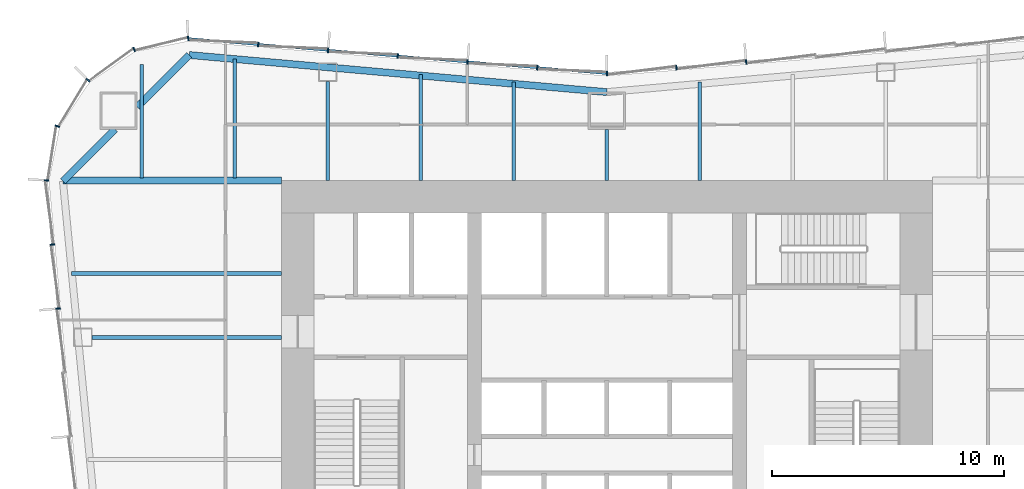
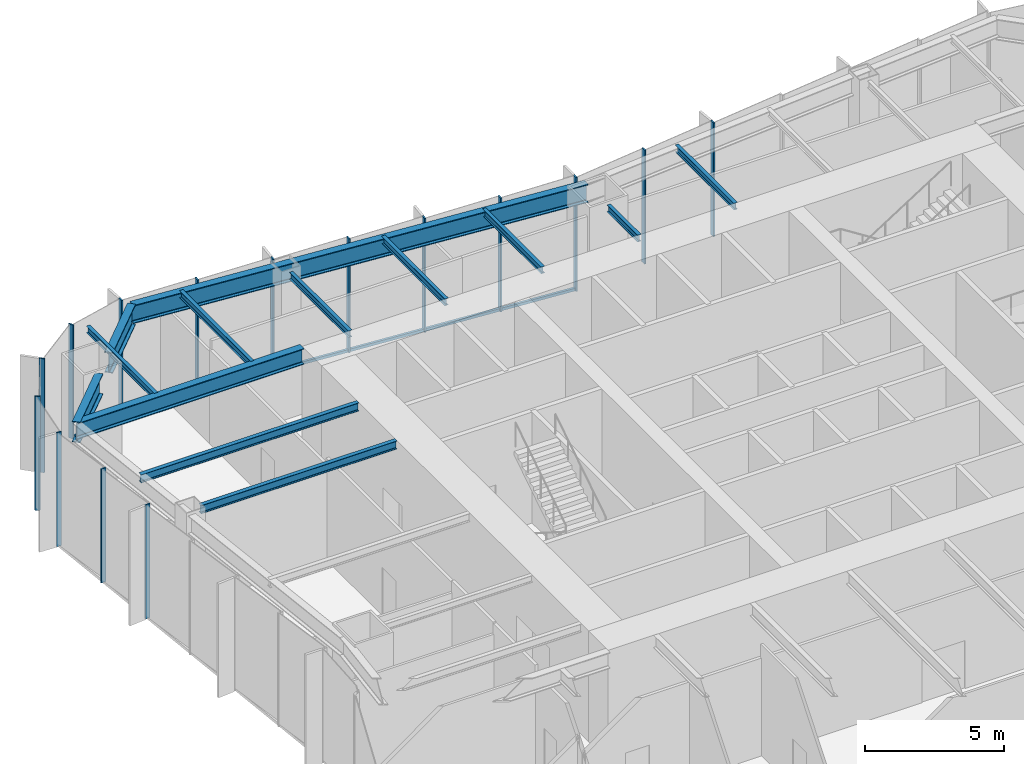
# One storey, part 6 of 14: 16 members, 13 beams, 3 elements without a shape of their own.
"""IFC4 building model written with IfcOpenShell, lengths in metres."""

from ifc_helpers import new_model, si_unit, direction, frame, origin, origin_2d, place, context, subcontext, project, spatial, rectangle, i_section, extrude, material, material_profile, profile_set, type_object, element, aggregate, save


model = new_model("IFC4")

# Units and contexts
model_context = context("Model", 3, precision=1e-05, world=origin(), true_north=direction((0.0, 1.0)))
body_context = subcontext(model_context, "Body", "Model", "MODEL_VIEW")
ifc_project = project(units=[si_unit("LENGTHUNIT", "METRE"), si_unit("AREAUNIT", "SQUARE_METRE"), si_unit("VOLUMEUNIT", "CUBIC_METRE"), si_unit("PLANEANGLEUNIT", "RADIAN"), si_unit("MASSUNIT", "GRAM", prefix="KILO")], contexts=[model_context])

# Site, building, storey
site_placement = place(None, origin())
site = spatial("IfcSite", under=ifc_project, at=site_placement, CompositionType="ELEMENT")
building_placement = place(site_placement, origin())
building = spatial("IfcBuilding", under=site, at=building_placement, Name="Verdant Reach Tower", CompositionType="ELEMENT")
storey_placement = place(building_placement, frame((0.0, 0.0, 9.0)))
storey = spatial("IfcBuildingStorey", under=building, at=storey_placement, Name="L01", CompositionType="ELEMENT", Elevation=9.0)

# Curtain wall, members
ifc_material_1 = material(Name="Anodised aluminium", Category="aluminium")
curtain_wall_type = type_object("IfcCurtainWallType", Name="EN-CW SYSTEM Z0", PredefinedType="NOTDEFINED", material=ifc_material_1)
curtain_wall_1_placement = place(storey_placement, origin())
curtain_wall_1 = element("IfcCurtainWall", 1, at=curtain_wall_1_placement, inside=storey, type_object=curtain_wall_type, Name="Curtain wall north, L01", PredefinedType="NOTDEFINED")
ifc_material_profile_1 = material_profile(ifc_material_1, rectangle(XDim=0.199951171875, YDim=0.06005859375, at=origin_2d()), Name="Mullion 60x200")
ifc_profile_set_1 = profile_set([ifc_material_profile_1], Name="Anodised aluminium")
member_type_1 = type_object("IfcMemberType", Name="EN-MULLION Z0", PredefinedType="MULLION", material=ifc_profile_set_1)
member_1_placement = place(storey_placement, frame((5.99169921875, 44.099609375, -0.35009765625), z_axis=(0.0, 0.0, 1.0), x_axis=(-0.083045479859, 0.996545758244, 0.0)))
member_1 = element("IfcMember", 2, at=member_1_placement, type_object=member_type_1, Name="Mullion north face part 1 5, L01", PredefinedType="MULLION", context=body_context, shape_type="SweptSolid", body=[
    extrude(rectangle(XDim=0.199951171875, YDim=0.06005859375, at=origin_2d()), origin(), (0.0, 0.0, 1.0), 5.0),
])
member_2_placement = place(storey_placement, frame((2.99169921875, 43.849609375, -0.35009765625), z_axis=(0.0, 0.0, 1.0), x_axis=(-0.083045479859, 0.996545758244, 0.0)))
member_2 = element("IfcMember", 3, at=member_2_placement, type_object=member_type_1, Name="Mullion north face part 1 6, L01", PredefinedType="MULLION", context=body_context, shape_type="SweptSolid", body=[
    extrude(rectangle(XDim=0.199951171875, YDim=0.06005859375, at=origin_2d()), origin(), (0.0, 0.0, 1.0), 5.0),
])
member_3_placement = place(storey_placement, frame((0.0, 43.60009765625, -0.35009765625), z_axis=(0.0, 0.0, 1.0), x_axis=(0.0, 1.0, 0.0)))
member_3 = element("IfcMember", 4, at=member_3_placement, type_object=member_type_1, Name="Mullion north face part 2 1, L01", PredefinedType="MULLION", context=body_context, shape_type="SweptSolid", body=[
    extrude(rectangle(XDim=0.199951171875, YDim=0.06005859375, at=origin_2d()), origin(), (0.0, 0.0, 1.0), 5.0),
])
member_4_placement = place(storey_placement, frame((-2.99169921875, 43.849609375, -0.35009765625), z_axis=(0.0, 0.0, 1.0), x_axis=(0.083045479859, 0.996545758244, 0.0)))
member_4 = element("IfcMember", 5, at=member_4_placement, type_object=member_type_1, Name="Mullion north face part 2 2, L01", PredefinedType="MULLION", context=body_context, shape_type="SweptSolid", body=[
    extrude(rectangle(XDim=0.199951171875, YDim=0.06005859375, at=origin_2d()), origin(), (0.0, 0.0, 1.0), 5.0),
])
member_5_placement = place(storey_placement, frame((-5.99169921875, 44.099609375, -0.35009765625), z_axis=(0.0, 0.0, 1.0), x_axis=(0.083045479859, 0.996545758244, 0.0)))
member_5 = element("IfcMember", 6, at=member_5_placement, type_object=member_type_1, Name="Mullion north face part 2 3, L01", PredefinedType="MULLION", context=body_context, shape_type="SweptSolid", body=[
    extrude(rectangle(XDim=0.199951171875, YDim=0.06005859375, at=origin_2d()), origin(), (0.0, 0.0, 1.0), 5.0),
])
member_6_placement = place(storey_placement, frame((-8.99169921875, 44.349609375, -0.35009765625), z_axis=(0.0, 0.0, 1.0), x_axis=(0.083045479859, 0.996545758244, 0.0)))
member_6 = element("IfcMember", 7, at=member_6_placement, type_object=member_type_1, Name="Mullion north face part 2 4, L01", PredefinedType="MULLION", context=body_context, shape_type="SweptSolid", body=[
    extrude(rectangle(XDim=0.199951171875, YDim=0.06005859375, at=origin_2d()), origin(), (0.0, 0.0, 1.0), 5.0),
])
member_7_placement = place(storey_placement, frame((-11.99169921875, 44.599609375, -0.35009765625), z_axis=(0.0, 0.0, 1.0), x_axis=(0.083045479859, 0.996545758244, 0.0)))
member_7 = element("IfcMember", 8, at=member_7_placement, type_object=member_type_1, Name="Mullion north face part 2 5, L01", PredefinedType="MULLION", context=body_context, shape_type="SweptSolid", body=[
    extrude(rectangle(XDim=0.199951171875, YDim=0.06005859375, at=origin_2d()), origin(), (0.0, 0.0, 1.0), 5.0),
])
member_8_placement = place(storey_placement, frame((-14.99169921875, 44.849609375, -0.35009765625), z_axis=(0.0, 0.0, 1.0), x_axis=(0.083045479859, 0.996545758244, 0.0)))
member_8 = element("IfcMember", 9, at=member_8_placement, type_object=member_type_1, Name="Mullion north face part 2 6, L01", PredefinedType="MULLION", context=body_context, shape_type="SweptSolid", body=[
    extrude(rectangle(XDim=0.199951171875, YDim=0.06005859375, at=origin_2d()), origin(), (0.0, 0.0, 1.0), 5.0),
])

curtain_wall_2_placement = place(storey_placement, origin())
curtain_wall_2 = element("IfcCurtainWall", 10, at=curtain_wall_2_placement, inside=storey, type_object=curtain_wall_type, Name="Curtain wall north-west corner, L01", PredefinedType="NOTDEFINED")
member_9_placement = place(storey_placement, frame((-18.005615234375, 45.099853515625, -0.35009765625), z_axis=(0.0, 0.0, 1.0), x_axis=(-0.056569187765, 0.998398681387, 0.0)))
member_9 = element("IfcMember", 11, at=member_9_placement, type_object=member_type_1, Name="Mullion north-west corner 1, L01", PredefinedType="MULLION", context=body_context, shape_type="SweptSolid", body=[
    extrude(rectangle(XDim=0.199951171875, YDim=0.06005859375, at=origin_2d()), origin(), (0.0, 0.0, 1.0), 5.0),
])
member_10_placement = place(storey_placement, frame((-20.33447265625, 44.6357421875, -0.35009765625), z_axis=(0.0, 0.0, 1.0), x_axis=(-0.382693853776, 0.923875215753, 0.0)))
member_10 = element("IfcMember", 12, at=member_10_placement, type_object=member_type_1, Name="Mullion north-west corner 2, L01", PredefinedType="MULLION", context=body_context, shape_type="SweptSolid", body=[
    extrude(rectangle(XDim=0.199951171875, YDim=0.06005859375, at=origin_2d()), origin(), (0.0, 0.0, 1.0), 5.0),
])
member_11_placement = place(storey_placement, frame((-22.313232421875, 43.313232421875, -0.35009765625), z_axis=(0.0, 0.0, 1.0), x_axis=(-0.707106781187, 0.707106781187, 0.0)))
member_11 = element("IfcMember", 13, at=member_11_placement, type_object=member_type_1, Name="Mullion north-west corner 3, L01", PredefinedType="MULLION", context=body_context, shape_type="SweptSolid", body=[
    extrude(rectangle(XDim=0.199951171875, YDim=0.06005859375, at=origin_2d()), origin(), (0.0, 0.0, 1.0), 5.0),
])
member_12_placement = place(storey_placement, frame((-23.6357421875, 41.33447265625, -0.35009765625), z_axis=(0.0, 0.0, 1.0), x_axis=(-0.923875215753, 0.382693853776, 0.0)))
member_12 = element("IfcMember", 14, at=member_12_placement, type_object=member_type_1, Name="Mullion north-west corner 4, L01", PredefinedType="MULLION", context=body_context, shape_type="SweptSolid", body=[
    extrude(rectangle(XDim=0.199951171875, YDim=0.06005859375, at=origin_2d()), origin(), (0.0, 0.0, 1.0), 5.0),
])
aggregate(curtain_wall_2, [member_9, member_10, member_11, member_12])

curtain_wall_3_placement = place(storey_placement, origin())
curtain_wall_3 = element("IfcCurtainWall", 15, at=curtain_wall_3_placement, inside=storey, type_object=curtain_wall_type, Name="Curtain wall west, L01", PredefinedType="NOTDEFINED")
member_13_placement = place(storey_placement, frame((-24.099853515625, 39.00537109375, -0.35009765625), z_axis=(0.0, 0.0, 1.0), x_axis=(-0.998604288049, 0.052815489107, 0.0)))
member_13 = element("IfcMember", 16, at=member_13_placement, type_object=member_type_1, Name="Mullion west face part 1 1, L01", PredefinedType="MULLION", context=body_context, shape_type="SweptSolid", body=[
    extrude(rectangle(XDim=0.199951171875, YDim=0.06005859375, at=origin_2d()), origin(), (0.0, 0.0, 1.0), 5.0),
])
member_14_placement = place(storey_placement, frame((-23.849609375, 36.240966796875, -0.35009765625), z_axis=(0.0, 0.0, 1.0), x_axis=(-0.995893206467, -0.090535746047, 0.0)))
member_14 = element("IfcMember", 17, at=member_14_placement, type_object=member_type_1, Name="Mullion west face part 1 2, L01", PredefinedType="MULLION", context=body_context, shape_type="SweptSolid", body=[
    extrude(rectangle(XDim=0.199951171875, YDim=0.06005859375, at=origin_2d()), origin(), (0.0, 0.0, 1.0), 5.0),
])
member_15_placement = place(storey_placement, frame((-23.599609375, 33.490966796875, -0.35009765625), z_axis=(0.0, 0.0, 1.0), x_axis=(-0.995893206467, -0.090535746047, 0.0)))
member_15 = element("IfcMember", 18, at=member_15_placement, type_object=member_type_1, Name="Mullion west face part 1 3, L01", PredefinedType="MULLION", context=body_context, shape_type="SweptSolid", body=[
    extrude(rectangle(XDim=0.199951171875, YDim=0.06005859375, at=origin_2d()), origin(), (0.0, 0.0, 1.0), 5.0),
])
aggregate(curtain_wall_3, [member_13, member_14, member_15])

# Member
ifc_material_profile_2 = material_profile(ifc_material_1, rectangle(XDim=0.10009765625, YDim=0.1201171875, at=origin_2d()), Name="Transom 120x100")
ifc_profile_set_2 = profile_set([ifc_material_profile_2], Name="Anodised aluminium")
member_type_2 = type_object("IfcMemberType", Name="EN-TRANSOM Z0", PredefinedType="USERDEFINED", material=ifc_profile_set_2)
member_16_placement = place(storey_placement, frame((-0.02978515625, 43.6025390625, -0.2900390625), z_axis=(-0.996548656072, 0.083010698588, 0.0), x_axis=(-0.083010698588, -0.996548656072, 0.0)))
member_16 = element("IfcMember", 19, at=member_16_placement, type_object=member_type_2, Name="Transom north face part 2 1.1, L01", ObjectType="TRANSOM", PredefinedType="USERDEFINED", context=body_context, shape_type="SweptSolid", body=[
    extrude(rectangle(XDim=0.10009765625, YDim=0.1201171875, at=origin_2d()), origin(), (0.0, 0.0, 1.0), 18.00830078125),
])

aggregate(curtain_wall_1, [member_1, member_2, member_3, member_4, member_5, member_6, member_7, member_8, member_16])

# Beams
ifc_material_2 = material(Name="Steel S355", Category="steel")
ifc_material_profile_3 = material_profile(ifc_material_2, i_section(OverallWidth=0.300048828125, OverallDepth=0.699951171875, WebThickness=0.01708984375, FlangeThickness=0.031982421875, FilletRadius=0.027099609375, at=origin_2d()), Name="HEB 700")
ifc_profile_set_3 = profile_set([ifc_material_profile_3], Name="Steel S355")
beam_type_1 = type_object("IfcBeamType", Name="ST-BEAM-HEB700", PredefinedType="BEAM", material=ifc_profile_set_3)
beam_1_placement = place(storey_placement, frame((-14.0, 39.0, 4.52001953125), z_axis=(-1.0, 0.0, 0.0), x_axis=(0.0, -1.0, 0.0)))
element("IfcBeam", 20, at=beam_1_placement, inside=storey, type_object=beam_type_1, Name="Trimmer beam, L01", PredefinedType="BEAM", context=body_context, shape_type="SweptSolid", body=[
    extrude(i_section(OverallWidth=0.300048828125, OverallDepth=0.699951171875, WebThickness=0.01708984375, FlangeThickness=0.031982421875, FilletRadius=0.027099609375, at=origin_2d()), origin(), (0.0, 0.0, 1.0), 9.38818359375),
])
ifc_material_profile_4 = material_profile(ifc_material_2, i_section(OverallWidth=0.14990234375, OverallDepth=0.300048828125, WebThickness=0.007080078125, FlangeThickness=0.0107421875, FilletRadius=0.014892578125, at=origin_2d()), Name="IPE 300")
ifc_profile_set_4 = profile_set([ifc_material_profile_4], Name="Steel S355")
beam_type_2 = type_object("IfcBeamType", Name="ST-JOIST-IPE300", PredefinedType="JOIST", material=ifc_profile_set_4)
beam_2_placement = place(storey_placement, frame((-20.0, 39.10009765625, 4.719970703125), z_axis=(0.0, 1.0, 0.0), x_axis=(-1.0, 0.0, 0.0)))
element("IfcBeam", 21, at=beam_2_placement, inside=storey, type_object=beam_type_2, Name="Floor joist, L01", PredefinedType="JOIST", context=body_context, shape_type="SweptSolid", body=[
    extrude(i_section(OverallWidth=0.14990234375, OverallDepth=0.300048828125, WebThickness=0.007080078125, FlangeThickness=0.0107421875, FilletRadius=0.014892578125, at=origin_2d()), origin(), (0.0, 0.0, 1.0), 4.890380859375),
])
beam_3_placement = place(storey_placement, frame((-16.0, 39.10009765625, 4.719970703125), z_axis=(0.0, 1.0, 0.0), x_axis=(-1.0, 0.0, 0.0)))
element("IfcBeam", 22, at=beam_3_placement, inside=storey, type_object=beam_type_2, Name="Floor joist, L01", PredefinedType="JOIST", context=body_context, shape_type="SweptSolid", body=[
    extrude(i_section(OverallWidth=0.14990234375, OverallDepth=0.300048828125, WebThickness=0.007080078125, FlangeThickness=0.0107421875, FilletRadius=0.014892578125, at=origin_2d()), origin(), (0.0, 0.0, 1.0), 5.131103515625),
])
beam_4_placement = place(storey_placement, frame((-12.0, 39.0, 4.719970703125), z_axis=(0.0, 1.0, 0.0), x_axis=(-1.0, 0.0, 0.0)))
element("IfcBeam", 23, at=beam_4_placement, inside=storey, type_object=beam_type_2, Name="Floor joist, L01", PredefinedType="JOIST", context=body_context, shape_type="SweptSolid", body=[
    extrude(i_section(OverallWidth=0.14990234375, OverallDepth=0.300048828125, WebThickness=0.007080078125, FlangeThickness=0.0107421875, FilletRadius=0.014892578125, at=origin_2d()), origin(), (0.0, 0.0, 1.0), 4.25),
])
beam_5_placement = place(storey_placement, frame((-8.0, 39.0, 4.719970703125), z_axis=(0.0, 1.0, 0.0), x_axis=(-1.0, 0.0, 0.0)))
element("IfcBeam", 24, at=beam_5_placement, inside=storey, type_object=beam_type_2, Name="Floor joist, L01", PredefinedType="JOIST", context=body_context, shape_type="SweptSolid", body=[
    extrude(i_section(OverallWidth=0.14990234375, OverallDepth=0.300048828125, WebThickness=0.007080078125, FlangeThickness=0.0107421875, FilletRadius=0.014892578125, at=origin_2d()), origin(), (0.0, 0.0, 1.0), 4.564697265625),
])
beam_6_placement = place(storey_placement, frame((-4.0, 39.0, 4.719970703125), z_axis=(0.0, 1.0, 0.0), x_axis=(-1.0, 0.0, 0.0)))
element("IfcBeam", 25, at=beam_6_placement, inside=storey, type_object=beam_type_2, Name="Floor joist, L01", PredefinedType="JOIST", context=body_context, shape_type="SweptSolid", body=[
    extrude(i_section(OverallWidth=0.14990234375, OverallDepth=0.300048828125, WebThickness=0.007080078125, FlangeThickness=0.0107421875, FilletRadius=0.014892578125, at=origin_2d()), origin(), (0.0, 0.0, 1.0), 4.231201171875),
])
beam_7_placement = place(storey_placement, frame((0.0, 39.0, 4.719970703125), z_axis=(0.0, 1.0, 0.0), x_axis=(-1.0, 0.0, 0.0)))
element("IfcBeam", 26, at=beam_7_placement, inside=storey, type_object=beam_type_2, Name="Floor joist, L01", PredefinedType="JOIST", context=body_context, shape_type="SweptSolid", body=[
    extrude(i_section(OverallWidth=0.14990234375, OverallDepth=0.300048828125, WebThickness=0.007080078125, FlangeThickness=0.0107421875, FilletRadius=0.014892578125, at=origin_2d()), origin(), (0.0, 0.0, 1.0), 2.199951171875),
])
beam_8_placement = place(storey_placement, frame((4.0, 39.0, 4.719970703125), z_axis=(0.0, 1.0, 0.0), x_axis=(-1.0, 0.0, 0.0)))
element("IfcBeam", 27, at=beam_8_placement, inside=storey, type_object=beam_type_2, Name="Floor joist, L01", PredefinedType="JOIST", context=body_context, shape_type="SweptSolid", body=[
    extrude(i_section(OverallWidth=0.14990234375, OverallDepth=0.300048828125, WebThickness=0.007080078125, FlangeThickness=0.0107421875, FilletRadius=0.014892578125, at=origin_2d()), origin(), (0.0, 0.0, 1.0), 4.231201171875),
])
ifc_material_profile_5 = material_profile(ifc_material_2, i_section(OverallWidth=0.169921875, OverallDepth=0.360107421875, WebThickness=0.008056640625, FlangeThickness=0.0126953125, FilletRadius=0.01806640625, at=origin_2d()), Name="IPE 360")
ifc_profile_set_5 = profile_set([ifc_material_profile_5], Name="Steel S355")
beam_type_3 = type_object("IfcBeamType", Name="ST-JOIST-IPE360", PredefinedType="JOIST", material=ifc_profile_set_5)
beam_9_placement = place(storey_placement, frame((-14.0, 32.25, 4.68994140625), z_axis=(-1.0, 0.0, 0.0), x_axis=(0.0, -1.0, 0.0)))
element("IfcBeam", 28, at=beam_9_placement, inside=storey, type_object=beam_type_3, Name="Floor joist, L01", PredefinedType="JOIST", context=body_context, shape_type="SweptSolid", body=[
    extrude(i_section(OverallWidth=0.169921875, OverallDepth=0.360107421875, WebThickness=0.008056640625, FlangeThickness=0.0126953125, FilletRadius=0.01806640625, at=origin_2d()), origin(), (0.0, 0.0, 1.0), 8.136474609375),
])
beam_10_placement = place(storey_placement, frame((-14.0, 35.0, 4.68994140625), z_axis=(-1.0, 0.0, 0.0), x_axis=(0.0, -1.0, 0.0)))
element("IfcBeam", 29, at=beam_10_placement, inside=storey, type_object=beam_type_3, Name="Floor joist, L01", PredefinedType="JOIST", context=body_context, shape_type="SweptSolid", body=[
    extrude(i_section(OverallWidth=0.169921875, OverallDepth=0.360107421875, WebThickness=0.008056640625, FlangeThickness=0.0126953125, FilletRadius=0.01806640625, at=origin_2d()), origin(), (0.0, 0.0, 1.0), 9.033935546875),
])
ifc_material_profile_6 = material_profile(ifc_material_2, i_section(OverallWidth=0.300048828125, OverallDepth=0.800048828125, WebThickness=0.017578125, FlangeThickness=0.032958984375, FilletRadius=0.030029296875, at=origin_2d()), Name="HEB 800")
ifc_profile_set_6 = profile_set([ifc_material_profile_6], Name="Steel S355")
beam_type_4 = type_object("IfcBeamType", Name="ST-SPANDREL-HEB800", PredefinedType="SPANDREL", material=ifc_profile_set_6)
beam_11_placement = place(storey_placement, frame((-17.9658203125, 44.39501953125, 4.469970703125), z_axis=(0.996082370463, -0.088430262084, 0.0), x_axis=(0.088430262084, 0.996082370463, 0.0)))
element("IfcBeam", 30, at=beam_11_placement, inside=storey, type_object=beam_type_4, Name="Edge beam, L01", PredefinedType="SPANDREL", context=body_context, shape_type="SweptSolid", body=[
    extrude(i_section(OverallWidth=0.300048828125, OverallDepth=0.800048828125, WebThickness=0.017578125, FlangeThickness=0.032958984375, FilletRadius=0.030029296875, at=origin_2d()), origin(), (0.0, 0.0, 1.0), 18.036376953125),
])
ifc_material_profile_7 = material_profile(ifc_material_2, i_section(OverallWidth=0.302001953125, OverallDepth=0.909912109375, WebThickness=0.02099609375, FlangeThickness=0.0400390625, FilletRadius=0.030029296875, at=origin_2d()), Name="HEM 900")
ifc_profile_set_7 = profile_set([ifc_material_profile_7], Name="Steel S355")
beam_type_5 = type_object("IfcBeamType", Name="ST-SPANDREL-HEM900", PredefinedType="SPANDREL", material=ifc_profile_set_7)
beam_12_placement = place(storey_placement, frame((-23.39453125, 38.968017578125, 4.4150390625), z_axis=(0.70722277322, 0.706990770123, 0.0), x_axis=(-0.706990770123, 0.70722277322, 0.0)))
element("IfcBeam", 31, at=beam_12_placement, inside=storey, type_object=beam_type_5, Name="Edge beam, L01", PredefinedType="SPANDREL", context=body_context, shape_type="SweptSolid", body=[
    extrude(i_section(OverallWidth=0.302001953125, OverallDepth=0.909912109375, WebThickness=0.02099609375, FlangeThickness=0.0400390625, FilletRadius=0.030029296875, at=origin_2d()), origin(), (0.0, 0.0, 1.0), 3.156982421875),
])
beam_13_placement = place(storey_placement, frame((-20.199951171875, 42.16162109375, 4.4150390625), z_axis=(0.707222697162, 0.706990846206, 0.0), x_axis=(-0.706990846206, 0.707222697162, 0.0)))
element("IfcBeam", 32, at=beam_13_placement, inside=storey, type_object=beam_type_5, Name="Edge beam, L01", PredefinedType="SPANDREL", context=body_context, shape_type="SweptSolid", body=[
    extrude(i_section(OverallWidth=0.302001953125, OverallDepth=0.909912109375, WebThickness=0.02099609375, FlangeThickness=0.0400390625, FilletRadius=0.030029296875, at=origin_2d()), origin(), (0.0, 0.0, 1.0), 3.158935546875),
])

save(model, "model.ifc")
